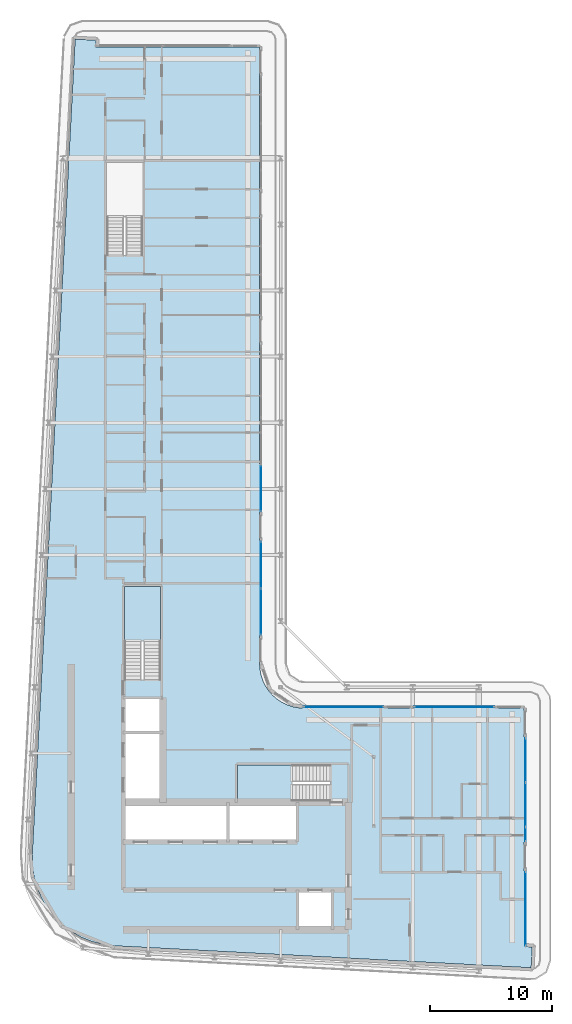
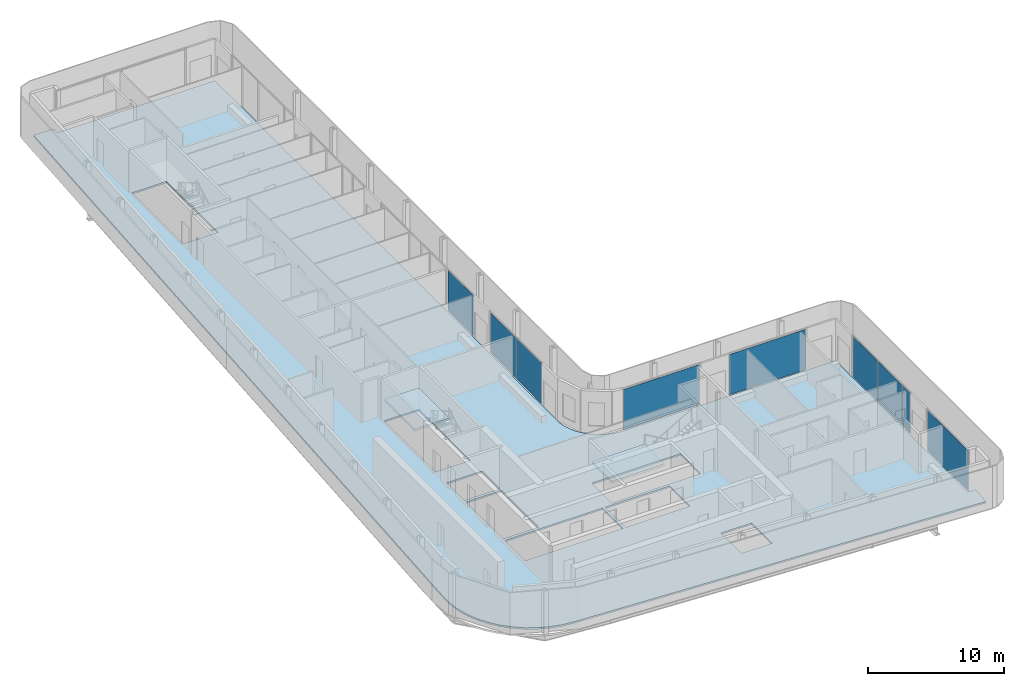
# One storey, part 9 of 21: 9 plates, 3 slabs, 9 elements without a shape of their own.
"""IFC4 building model written with IfcOpenShell, lengths in metres."""

import ifcopenshell
import ifcopenshell.guid

model = None  # the IFC model being written
_history = None  # IfcOwnerHistory: only IFC2X3 demands one
_inside = {}  # id of a spatial element -> (the spatial element, [elements in it])
_under = {}  # id of a project, library or spatial element -> (it, [spatial elements below it])
_declared = {}  # id of a project -> (the project, [libraries it declares])
_typed = {}  # id of a type object -> (the type object, [elements of that type])
_made_of = {}  # id of a material, layer set ... -> (it, [elements and type objects made of it])


def new_model(schema):
    """Start an empty IFC model of exactly this schema.

    Asked for "IFC4X3", IfcOpenShell would pick the latest addendum, in which some entities
    have other attributes; the version numbers below select the first issue.
    IFC2X3 requires an IfcOwnerHistory on every rooted entity: one is made here for all.
    """
    global model, _history
    if schema == "IFC4X3":
        model = ifcopenshell.file(schema_version=(4, 3, 0, 0))
    else:
        model = ifcopenshell.file(schema=schema)
    _inside.clear()
    _under.clear()
    _declared.clear()
    _typed.clear()
    _made_of.clear()
    _history = None
    if model.schema == "IFC2X3":
        org = make("IfcOrganization", Name="unknown")
        user = make(
            "IfcPersonAndOrganization",
            ThePerson=make("IfcPerson", FamilyName="unknown"),
            TheOrganization=org,
        )
        app = make(
            "IfcApplication",
            ApplicationDeveloper=org,
            Version="unknown",
            ApplicationFullName="unknown",
            ApplicationIdentifier="unknown",
        )
        _history = make(
            "IfcOwnerHistory",
            OwningUser=user,
            OwningApplication=app,
            ChangeAction="ADDED",
            CreationDate=0,
        )
    return model


def make(cls, **values):
    """One entity of the class cls with the attributes given. An attribute that is None is left unset."""
    return model.create_entity(
        cls, **{name: value for name, value in values.items() if value is not None}
    )


def rooted(cls, **values):
    """An entity with a GlobalId (a new one), such as an element, a storey or a relation."""
    return make(cls, GlobalId=ifcopenshell.guid.new(), OwnerHistory=_history, **values)


def si_unit(unit_type, name, prefix=None):
    """IfcSIUnit, for example si_unit("LENGTHUNIT", "METRE", prefix="MILLI")."""
    return make("IfcSIUnit", UnitType=unit_type, Prefix=prefix, Name=name)


def assignment(units):
    """IfcUnitAssignment: the units of a project."""
    return None if units is None else make("IfcUnitAssignment", Units=units)


def point(xyz):
    """IfcCartesianPoint."""
    return None if xyz is None else make("IfcCartesianPoint", Coordinates=xyz)


def direction(xyz):
    """IfcDirection."""
    return None if xyz is None else make("IfcDirection", DirectionRatios=xyz)


def frame(location, z_axis=None, x_axis=None):
    """IfcAxis2Placement3D, a coordinate frame: its origin and axes. An axis left out is left unset."""
    return make(
        "IfcAxis2Placement3D",
        Location=point(location),
        Axis=direction(z_axis),
        RefDirection=direction(x_axis),
    )


def frame_2d(location, x_axis=None):
    """IfcAxis2Placement2D, a coordinate frame in the plane: its origin and x axis."""
    return make(
        "IfcAxis2Placement2D", Location=point(location), RefDirection=direction(x_axis)
    )


def origin():
    """The frame at (0, 0, 0) with its axes left unset."""
    return frame((0.0, 0.0, 0.0))


def origin_2d():
    """The frame at (0, 0) in the plane with its x axis left unset."""
    return frame_2d((0.0, 0.0))


def place(relative_to, where):
    """IfcLocalPlacement: puts the frame where relative to a parent placement (None: the world)."""
    return make(
        "IfcLocalPlacement", PlacementRelTo=relative_to, RelativePlacement=where
    )


def context(
    kind, dimensions, precision=None, world=None, true_north=None, identifier=None
):
    """IfcGeometricRepresentationContext, for example the 3D "Model" context."""
    return make(
        "IfcGeometricRepresentationContext",
        ContextIdentifier=identifier,
        ContextType=kind,
        CoordinateSpaceDimension=dimensions,
        Precision=precision,
        WorldCoordinateSystem=world,
        TrueNorth=true_north,
    )


def subcontext(parent, identifier, kind, view, scale=None):
    """IfcGeometricRepresentationSubContext, for example "Body" below "Model"."""
    return make(
        "IfcGeometricRepresentationSubContext",
        ContextIdentifier=identifier,
        ContextType=kind,
        ParentContext=parent,
        TargetScale=scale,
        TargetView=view,
    )


def project(units=None, contexts=None):
    """IfcProject with its units and contexts."""
    return rooted(
        "IfcProject",
        Name="project",
        RepresentationContexts=contexts,
        UnitsInContext=assignment(units),
    )


def spatial(cls, under=None, at=None, **own):
    """A site, building, storey or space (cls), placed at a placement, below another one or the project."""
    s = rooted(cls, ObjectPlacement=at, **own)
    if under is not None:
        _under.setdefault(under.id(), (under, []))[1].append(s)
    return s


def polyline(points):
    """IfcPolyline through the points."""
    return make("IfcPolyline", Points=[point(p) for p in points])


def profile(cls, at=None, kind="AREA", **sizes):
    """A parametric profile (cls). Its sizes go by their IFC names, for example OverallWidth=200.0."""
    return make(cls, ProfileType=kind, Position=at, **sizes)


def rectangle(**sizes):
    """IfcRectangleProfileDef."""
    return profile("IfcRectangleProfileDef", **sizes)


def outline(outer, holes=None, kind="AREA"):
    """IfcArbitraryClosedProfileDef: a profile drawn as a closed curve; with holes, ...WithVoids."""
    if holes is None:
        return make("IfcArbitraryClosedProfileDef", ProfileType=kind, OuterCurve=outer)
    return make(
        "IfcArbitraryProfileDefWithVoids",
        ProfileType=kind,
        OuterCurve=outer,
        InnerCurves=holes,
    )


def extrude(swept, where, along, depth):
    """IfcExtrudedAreaSolid: the profile swept, set in the frame where, extruded along a direction by depth."""
    return make(
        "IfcExtrudedAreaSolid",
        SweptArea=swept,
        Position=where,
        ExtrudedDirection=direction(along),
        Depth=depth,
    )


def shape(context_of_items, identifier, shape_type, items):
    """IfcShapeRepresentation: the items that make up one representation, for example the "Body"."""
    return make(
        "IfcShapeRepresentation",
        ContextOfItems=context_of_items,
        RepresentationIdentifier=identifier,
        RepresentationType=shape_type,
        Items=items,
    )


def material(Name=None, Category=None):
    """IfcMaterial."""
    return make("IfcMaterial", Name=Name, Category=Category)


def layer(
    of_material, thickness, ventilated=None, Name=None, Category=None, Priority=None
):
    """IfcMaterialLayer: one layer of a wall or slab, of a material (None: an air gap)."""
    return make(
        "IfcMaterialLayer",
        Material=of_material,
        LayerThickness=thickness,
        IsVentilated=ventilated,
        Name=Name,
        Category=Category,
        Priority=Priority,
    )


def layer_set(layers, Name=None):
    """IfcMaterialLayerSet."""
    return make("IfcMaterialLayerSet", MaterialLayers=layers, LayerSetName=Name)


def made_of(thing, what):
    """Note that an element or type object is made of a material, layer set ...; save() writes the relation."""
    if what is not None:
        _made_of.setdefault(what.id(), (what, []))[1].append(thing)
    return thing


def type_object(cls, material=None, **own):
    """A type object (cls), such as IfcWallType, which elements share."""
    return made_of(rooted(cls, **own), material)


def element(
    cls,
    number,
    at=None,
    inside=None,
    cuts=None,
    type_object=None,
    material=None,
    context=None,
    identifier="Body",
    shape_type=None,
    held_by="IfcProductDefinitionShape",
    body=None,
    shapes=None,
    **own,
):
    """One element of the class cls, such as IfcWall. Its Tag is "e" and its number.

    at: its placement. inside: the storey or other place that contains it. cuts: it is an
    opening in that element (IfcRelVoidsElement). A single representation is given by context,
    identifier, shape_type and body (its items); several are given by shapes. held_by: the class
    of the entity that holds the representations. save() writes the other relations.
    """
    e = rooted(cls, Tag="e%d" % number, ObjectPlacement=at, **own)
    if body is not None:
        shapes = [shape(context, identifier, shape_type, body)]
    if shapes is not None:
        e.Representation = make(held_by, Representations=shapes)
    if inside is not None:
        _inside.setdefault(inside.id(), (inside, []))[1].append(e)
    if cuts is not None:
        rooted(
            "IfcRelVoidsElement", RelatingBuildingElement=cuts, RelatedOpeningElement=e
        )
    if type_object is not None:
        _typed.setdefault(type_object.id(), (type_object, []))[1].append(e)
    return made_of(e, material)


def aggregate(whole, parts):
    """IfcRelAggregates: a whole, such as a stair, and the parts it consists of."""
    return rooted("IfcRelAggregates", RelatingObject=whole, RelatedObjects=parts)


def save(model, path):
    """Write the relations noted so far, then the file.

    IfcRelAggregates (storeys below a building ...), IfcRelContainedInSpatialStructure (elements
    in a storey), IfcRelDefinesByType, IfcRelAssociatesMaterial and IfcRelDeclares: one each for
    every whole, place, type object, material and project.
    """
    for whole, parts in _under.values():
        aggregate(whole, parts)
    for where, things in _inside.values():
        rooted(
            "IfcRelContainedInSpatialStructure",
            RelatedElements=things,
            RelatingStructure=where,
        )
    for kind, things in _typed.values():
        rooted("IfcRelDefinesByType", RelatedObjects=things, RelatingType=kind)
    for what, things in _made_of.values():
        rooted("IfcRelAssociatesMaterial", RelatedObjects=things, RelatingMaterial=what)
    for by, libraries in _declared.values():
        rooted("IfcRelDeclares", RelatingContext=by, RelatedDefinitions=libraries)
    model.write(path)


model = new_model("IFC4")

# Units and contexts
model_context = context("Model", 3, precision=1e-05, world=origin(), true_north=direction((0.0, 1.0)))
body_context = subcontext(model_context, "Body", "Model", "MODEL_VIEW")
ifc_project = project(units=[si_unit("LENGTHUNIT", "METRE"), si_unit("AREAUNIT", "SQUARE_METRE"), si_unit("VOLUMEUNIT", "CUBIC_METRE"), si_unit("PLANEANGLEUNIT", "RADIAN"), si_unit("MASSUNIT", "GRAM", prefix="KILO")], contexts=[model_context])

# Site, building, storey
site_placement = place(None, origin())
site = spatial("IfcSite", under=ifc_project, at=site_placement, CompositionType="ELEMENT")
building_placement = place(site_placement, origin())
building = spatial("IfcBuilding", under=site, at=building_placement, Name="Kheshtan School and Residences Tower", CompositionType="ELEMENT")
storey_placement = place(building_placement, frame((0.0, 0.0, 294.199951171875)))
storey = spatial("IfcBuildingStorey", under=building, at=storey_placement, Name="L69", CompositionType="ELEMENT", Elevation=294.199951171875)

# Curtain wall, plate
ifc_material_1 = material(Name="Clear low-e glass in thermally broken aluminium frame", Category="aluminium")
ifc_layer_1 = layer(ifc_material_1, 0.199951171875)
ifc_layer_set_1 = layer_set([ifc_layer_1], Name="Curtain wall CW-L")
curtain_wall_type = type_object("IfcCurtainWallType", Name="Curtain wall CW-L", PredefinedType="NOTDEFINED", material=ifc_layer_set_1)
curtain_wall_1_placement = place(storey_placement, origin())
curtain_wall_1 = element("IfcCurtainWall", 1, at=curtain_wall_1_placement, inside=storey, type_object=curtain_wall_type, Name="Curtain wall CWL8c", PredefinedType="NOTDEFINED")
ifc_layer_2 = layer(ifc_material_1, 0.031982421875)
ifc_layer_set_2 = layer_set([ifc_layer_2], Name="CW-L glass panel")
plate_type = type_object("IfcPlateType", Name="CW-L glass panel", PredefinedType="CURTAIN_PANEL", material=ifc_layer_set_2)
plate_1_placement = place(storey_placement, frame((46.0, 61.862548828125, 0.0), z_axis=(0.0, 0.0, 1.0), x_axis=(0.0, -1.0, 0.0)))
plate_1 = element("IfcPlate", 2, at=plate_1_placement, type_object=plate_type, Name="CWL8c panel 3.1", PredefinedType="CURTAIN_PANEL", context=body_context, shape_type="SweptSolid", body=[
    extrude(rectangle(XDim=3.757080078125, YDim=0.031982421875, at=origin_2d()), origin(), (0.0, 0.0, 1.0), 3.6298828125),
])
aggregate(curtain_wall_1, [plate_1])

# Curtain wall, plates
curtain_wall_2_placement = place(storey_placement, origin())
curtain_wall_2 = element("IfcCurtainWall", 3, at=curtain_wall_2_placement, inside=storey, type_object=curtain_wall_type, Name="Curtain wall CWL8", PredefinedType="NOTDEFINED")
plate_2_placement = place(storey_placement, frame((46.0, 55.58544921875, 0.0), z_axis=(0.0, 0.0, 1.0), x_axis=(0.0, -1.0, 0.0)))
plate_2 = element("IfcPlate", 4, at=plate_2_placement, type_object=plate_type, Name="CWL8 panel 1.1", PredefinedType="CURTAIN_PANEL", context=body_context, shape_type="SweptSolid", body=[
    extrude(rectangle(XDim=3.757080078125, YDim=0.031982421875, at=origin_2d()), origin(), (0.0, 0.0, 1.0), 3.6298828125),
])
plate_3_placement = place(storey_placement, frame((46.0, 51.7685546875, 0.0), z_axis=(0.0, 0.0, 1.0), x_axis=(0.0, -1.0, 0.0)))
plate_3 = element("IfcPlate", 5, at=plate_3_placement, type_object=plate_type, Name="CWL8 panel 2.1", PredefinedType="CURTAIN_PANEL", context=body_context, shape_type="SweptSolid", body=[
    extrude(rectangle(XDim=3.757080078125, YDim=0.031982421875, at=origin_2d()), origin(), (0.0, 0.0, 1.0), 3.6298828125),
])
aggregate(curtain_wall_2, [plate_2, plate_3])

# Curtain wall, plate
curtain_wall_3_placement = place(storey_placement, origin())
curtain_wall_3 = element("IfcCurtainWall", 6, at=curtain_wall_3_placement, inside=storey, type_object=curtain_wall_type, Name="Curtain wall CWL1233", PredefinedType="NOTDEFINED")
plate_4_placement = place(storey_placement, frame((52.74755859375, 44.0, 0.0), z_axis=(0.0, 0.0, 1.0), x_axis=(1.0, 0.0, 0.0)))
plate_4 = element("IfcPlate", 7, at=plate_4_placement, type_object=plate_type, Name="CWL1233 panel 1.1", PredefinedType="CURTAIN_PANEL", context=body_context, shape_type="SweptSolid", body=[
    extrude(rectangle(XDim=6.514892578125, YDim=0.031982421875, at=origin_2d()), origin(), (0.0, 0.0, 1.0), 3.6298828125),
])
aggregate(curtain_wall_3, [plate_4])

curtain_wall_4_placement = place(storey_placement, origin())
curtain_wall_4 = element("IfcCurtainWall", 8, at=curtain_wall_4_placement, inside=storey, type_object=curtain_wall_type, Name="Curtain wall CWL1233", PredefinedType="NOTDEFINED")
plate_5_placement = place(storey_placement, frame((61.782470703125, 44.0, 0.0), z_axis=(0.0, 0.0, 1.0), x_axis=(1.0, 0.0, 0.0)))
plate_5 = element("IfcPlate", 9, at=plate_5_placement, type_object=plate_type, Name="CWL1233 panel 1.1", PredefinedType="CURTAIN_PANEL", context=body_context, shape_type="SweptSolid", body=[
    extrude(rectangle(XDim=6.514892578125, YDim=0.031982421875, at=origin_2d()), origin(), (0.0, 0.0, 1.0), 3.6298828125),
])
aggregate(curtain_wall_4, [plate_5])

# Curtain wall, plates
curtain_wall_5_placement = place(storey_placement, origin())
curtain_wall_5 = element("IfcCurtainWall", 10, at=curtain_wall_5_placement, inside=storey, type_object=curtain_wall_type, Name="Curtain wall CWL13e", PredefinedType="NOTDEFINED")
plate_6_placement = place(storey_placement, frame((67.60009765625, 39.64990234375, 0.0), z_axis=(0.0, 0.0, 1.0), x_axis=(0.0, -1.0, 0.0)))
plate_6 = element("IfcPlate", 11, at=plate_6_placement, type_object=plate_type, Name="CWL13e panel 1.1", PredefinedType="CURTAIN_PANEL", context=body_context, shape_type="SweptSolid", body=[
    extrude(rectangle(XDim=3.580322265625, YDim=0.031982421875, at=origin_2d()), origin(), (0.0, 0.0, 1.0), 3.6298828125),
])
plate_7_placement = place(storey_placement, frame((67.60009765625, 36.009521484375, 0.0), z_axis=(0.0, 0.0, 1.0), x_axis=(0.0, -1.0, 0.0)))
plate_7 = element("IfcPlate", 12, at=plate_7_placement, type_object=plate_type, Name="CWL13e panel 2.1", PredefinedType="CURTAIN_PANEL", context=body_context, shape_type="SweptSolid", body=[
    extrude(rectangle(XDim=3.580322265625, YDim=0.031982421875, at=origin_2d()), origin(), (0.0, 0.0, 1.0), 3.6298828125),
])
aggregate(curtain_wall_5, [plate_6, plate_7])

# Curtain wall, plate
curtain_wall_6_placement = place(storey_placement, origin())
curtain_wall_6 = element("IfcCurtainWall", 13, at=curtain_wall_6_placement, inside=storey, type_object=curtain_wall_type, Name="Curtain wall CWL13f", PredefinedType="NOTDEFINED")
plate_8_placement = place(storey_placement, frame((67.60009765625, 33.589599609375, 0.0), z_axis=(0.0, 0.0, 1.0), x_axis=(0.0, -1.0, 0.0)))
plate_8 = element("IfcPlate", 14, at=plate_8_placement, type_object=plate_type, Name="CWL13f panel 1.1", PredefinedType="CURTAIN_PANEL", context=body_context, shape_type="SweptSolid", body=[
    extrude(rectangle(XDim=1.139892578125, YDim=0.031982421875, at=origin_2d()), origin(), (0.0, 0.0, 1.0), 3.6298828125),
])
aggregate(curtain_wall_6, [plate_8])

curtain_wall_7_placement = place(storey_placement, origin())
curtain_wall_7 = element("IfcCurtainWall", 15, at=curtain_wall_7_placement, inside=storey, type_object=curtain_wall_type, Name="Curtain wall CWL13g", PredefinedType="NOTDEFINED")
plate_9_placement = place(storey_placement, frame((67.60009765625, 27.4892578125, 0.0), z_axis=(0.0, 0.0, 1.0), x_axis=(0.0, -1.0, 0.0)))
plate_9 = element("IfcPlate", 16, at=plate_9_placement, type_object=plate_type, Name="CWL13g panel 1.1", PredefinedType="CURTAIN_PANEL", context=body_context, shape_type="SweptSolid", body=[
    extrude(rectangle(XDim=6.0205078125, YDim=0.031982421875, at=origin_2d()), origin(), (0.0, 0.0, 1.0), 3.6298828125),
])
aggregate(curtain_wall_7, [plate_9])

# Slab
ifc_material_2 = material(Name="Concrete C40/50", Category="concrete")
ifc_layer_3 = layer(ifc_material_2, 0.14990234375)
ifc_layer_set_3 = layer_set([ifc_layer_3], Name="Floor slab 150 Concrete C40/50")
slab_type_1 = type_object("IfcSlabType", Name="Floor slab 150 Concrete C40/50", PredefinedType="FLOOR", material=ifc_layer_set_3)
slab_1_placement = place(storey_placement, frame((0.0, 0.0, -0.14990234375)))
element("IfcSlab", 17, at=slab_1_placement, inside=storey, type_object=slab_type_1, Name="Floor slab L69", PredefinedType="FLOOR", context=body_context, shape_type="SweptSolid", body=[
    extrude(outline(polyline([(28.55908203125, 27.550048828125), (28.0849609375, 28.345947265625), (27.718017578125, 29.200927734375), (27.466064453125, 30.093017578125), (27.466064453125, 30.093994140625), (27.3330078125, 31.013916015625), (27.320068359375, 31.965087890625), (27.320068359375, 31.970947265625), (30.822021484375, 98.5009765625), (30.822998046875, 98.508056640625), (30.825927734375, 98.531005859375), (30.825927734375, 98.531982421875), (30.826904296875, 98.531982421875), (31.422119140625, 98.5), (31.423095703125, 98.5), (31.423095703125, 98.4990234375), (31.423095703125, 98.4951171875), (31.423095703125, 98.493896484375), (31.424072265625, 98.493896484375), (31.424072265625, 98.492919921875), (31.425048828125, 98.492919921875), (31.426025390625, 98.492919921875), (31.426025390625, 98.493896484375), (31.427978515625, 98.49609375), (31.428955078125, 98.4970703125), (31.429931640625, 98.498046875), (31.430908203125, 98.498046875), (31.430908203125, 98.4990234375), (31.431884765625, 98.4990234375), (31.431884765625, 98.5), (31.43505859375, 98.5009765625), (31.43603515625, 98.501953125), (31.43896484375, 98.501953125), (31.43994140625, 98.501953125), (31.43994140625, 98.5029296875), (31.44091796875, 98.5029296875), (31.446044921875, 98.5029296875), (32.5009765625, 98.447021484375), (32.50390625, 98.447021484375), (32.5048828125, 98.447021484375), (32.5048828125, 98.446044921875), (32.506103515625, 98.446044921875), (32.510009765625, 98.446044921875), (32.510009765625, 98.445068359375), (32.510986328125, 98.445068359375), (32.510986328125, 98.444091796875), (32.511962890625, 98.444091796875), (32.511962890625, 98.443115234375), (32.512939453125, 98.443115234375), (32.513916015625, 98.443115234375), (32.513916015625, 98.44189453125), (32.514892578125, 98.44189453125), (32.51611328125, 98.44189453125), (32.51904296875, 98.43896484375), (32.51904296875, 98.43798828125), (32.51904296875, 98.43701171875), (32.52001953125, 98.43701171875), (32.52001953125, 98.43603515625), (32.52099609375, 98.43603515625), (32.52099609375, 98.43408203125), (32.52099609375, 98.43310546875), (32.52197265625, 98.43310546875), (32.52197265625, 98.431884765625), (32.52294921875, 98.431884765625), (32.52294921875, 98.430908203125), (32.52294921875, 98.428955078125), (32.52294921875, 98.427978515625), (32.52392578125, 98.427978515625), (32.52392578125, 98.427001953125), (32.52392578125, 98.422119140625), (32.4970703125, 97.9208984375), (32.4970703125, 97.91796875), (32.4970703125, 97.9169921875), (32.49609375, 97.9169921875), (32.49609375, 97.916015625), (32.49609375, 97.912109375), (32.4951171875, 97.910888671875), (32.4951171875, 97.909912109375), (32.493896484375, 97.909912109375), (32.493896484375, 97.908935546875), (32.492919921875, 97.908935546875), (32.492919921875, 97.907958984375), (32.489013671875, 97.904052734375), (32.488037109375, 97.904052734375), (32.488037109375, 97.903076171875), (32.488037109375, 97.902099609375), (32.488037109375, 97.90087890625), (32.489013671875, 97.90087890625), (32.489013671875, 97.89990234375), (32.489990234375, 97.89990234375), (45.85498046875, 97.89990234375), (45.864990234375, 97.89794921875), (45.865966796875, 97.89794921875), (45.868896484375, 97.89599609375), (45.8740234375, 97.89404296875), (45.8779296875, 97.89208984375), (45.881103515625, 97.889892578125), (45.881103515625, 97.888916015625), (45.882080078125, 97.888916015625), (45.882080078125, 97.887939453125), (45.883056640625, 97.887939453125), (45.884033203125, 97.885009765625), (45.885009765625, 97.885009765625), (45.885009765625, 97.884033203125), (45.887939453125, 97.883056640625), (45.887939453125, 97.882080078125), (45.888916015625, 97.882080078125), (45.888916015625, 97.881103515625), (45.889892578125, 97.881103515625), (45.89208984375, 97.8779296875), (45.89404296875, 97.8740234375), (45.89599609375, 97.868896484375), (45.89794921875, 97.865966796875), (45.89794921875, 97.864990234375), (45.89990234375, 97.85498046875), (45.89990234375, 47.429931640625), (45.927001953125, 47.030029296875), (46.01806640625, 46.570068359375), (46.01806640625, 46.569091796875), (46.169921875, 46.1201171875), (46.37890625, 45.697021484375), (46.638916015625, 45.30810546875), (46.949951171875, 44.950927734375), (46.950927734375, 44.949951171875), (47.30810546875, 44.638916015625), (47.697021484375, 44.37890625), (48.1201171875, 44.169921875), (48.569091796875, 44.01806640625), (48.570068359375, 44.01806640625), (49.030029296875, 43.927001953125), (49.429931640625, 43.89990234375), (67.455078125, 43.89990234375), (67.4599609375, 43.89892578125), (67.465087890625, 43.89794921875), (67.466064453125, 43.89794921875), (67.468994140625, 43.89599609375), (67.47412109375, 43.89404296875), (67.47802734375, 43.89208984375), (67.48095703125, 43.889892578125), (67.48095703125, 43.888916015625), (67.48193359375, 43.888916015625), (67.48193359375, 43.887939453125), (67.48291015625, 43.887939453125), (67.48388671875, 43.885009765625), (67.485107421875, 43.885009765625), (67.485107421875, 43.884033203125), (67.488037109375, 43.883056640625), (67.488037109375, 43.882080078125), (67.489013671875, 43.882080078125), (67.489013671875, 43.881103515625), (67.489990234375, 43.881103515625), (67.491943359375, 43.8779296875), (67.493896484375, 43.8740234375), (67.49609375, 43.868896484375), (67.498046875, 43.865966796875), (67.498046875, 43.864990234375), (67.4990234375, 43.860107421875), (67.5, 43.85498046875), (67.5, 24.4140625), (67.5, 24.4130859375), (67.5009765625, 24.4130859375), (67.5009765625, 24.412109375), (67.501953125, 24.412109375), (67.5029296875, 24.412109375), (67.5029296875, 24.4130859375), (67.5048828125, 24.4150390625), (67.507080078125, 24.4169921875), (67.508056640625, 24.4169921875), (67.508056640625, 24.41796875), (67.509033203125, 24.41796875), (67.509033203125, 24.4189453125), (67.510009765625, 24.4189453125), (67.511962890625, 24.419921875), (67.512939453125, 24.4208984375), (67.51611328125, 24.4208984375), (67.51708984375, 24.4208984375), (67.51708984375, 24.422119140625), (67.51806640625, 24.422119140625), (67.52294921875, 24.422119140625), (68.137939453125, 24.388916015625), (68.14111328125, 24.388916015625), (68.14208984375, 24.388916015625), (68.14208984375, 24.387939453125), (68.14306640625, 24.387939453125), (68.14697265625, 24.387939453125), (68.14697265625, 24.386962890625), (68.14794921875, 24.386962890625), (68.14794921875, 24.385986328125), (68.14892578125, 24.385986328125), (68.14892578125, 24.385009765625), (68.14990234375, 24.385009765625), (68.15087890625, 24.385009765625), (68.15087890625, 24.384033203125), (68.152099609375, 24.384033203125), (68.153076171875, 24.384033203125), (68.153076171875, 24.383056640625), (68.155029296875, 24.381103515625), (68.156005859375, 24.381103515625), (68.156005859375, 24.3798828125), (68.156005859375, 24.37890625), (68.156982421875, 24.37890625), (68.156982421875, 24.3779296875), (68.157958984375, 24.3779296875), (68.157958984375, 24.3759765625), (68.157958984375, 24.375), (68.158935546875, 24.375), (68.158935546875, 24.3740234375), (68.159912109375, 24.3740234375), (68.159912109375, 24.373046875), (68.159912109375, 24.37109375), (68.159912109375, 24.3701171875), (68.160888671875, 24.3701171875), (68.160888671875, 24.368896484375), (68.160888671875, 24.364013671875), (68.10498046875, 23.306884765625), (68.10498046875, 23.303955078125), (68.10498046875, 23.302978515625), (68.10400390625, 23.302978515625), (68.10400390625, 23.302001953125), (68.10400390625, 23.298095703125), (68.10302734375, 23.297119140625), (68.10302734375, 23.2958984375), (68.10205078125, 23.2958984375), (68.10205078125, 23.294921875), (68.10107421875, 23.294921875), (68.10107421875, 23.2939453125), (68.10009765625, 23.29296875), (68.097900390625, 23.291015625), (68.096923828125, 23.2900390625), (68.095947265625, 23.2900390625), (68.095947265625, 23.2890625), (68.095947265625, 23.2880859375), (68.095947265625, 23.287109375), (68.096923828125, 23.287109375), (68.096923828125, 23.285888671875), (68.097900390625, 23.285888671875), (68.09912109375, 23.285888671875), (68.10009765625, 23.285888671875), (68.10009765625, 23.284912109375), (68.068115234375, 22.68994140625), (68.068115234375, 22.68896484375), (68.06689453125, 22.68896484375), (68.04296875, 22.68798828125), (68.0380859375, 22.68798828125), (34.056884765625, 24.47802734375), (33.114990234375, 24.590087890625), (32.215087890625, 24.819091796875), (32.214111328125, 24.819091796875), (31.35205078125, 25.1630859375), (30.541015625, 25.616943359375), (29.799072265625, 26.1708984375), (29.799072265625, 26.172119140625), (29.798095703125, 26.172119140625), (29.134033203125, 26.820068359375), (29.134033203125, 26.821044921875), (29.133056640625, 26.821044921875), (28.55908203125, 27.550048828125)]), holes=[polyline([(67.5009765625, 23.29296875), (67.5, 23.29296875), (67.5, 23.2919921875), (67.5, 23.2880859375), (67.5, 23.287109375), (67.5009765625, 23.287109375), (67.5009765625, 23.285888671875), (67.501953125, 23.285888671875), (67.506103515625, 23.285888671875), (67.507080078125, 23.285888671875), (67.507080078125, 23.287109375), (67.508056640625, 23.287109375), (67.508056640625, 23.2880859375), (67.508056640625, 23.2890625), (67.507080078125, 23.2890625), (67.506103515625, 23.2900390625), (67.5048828125, 23.291015625), (67.5029296875, 23.29296875), (67.5029296875, 23.2939453125), (67.501953125, 23.2939453125), (67.5009765625, 23.2939453125), (67.5009765625, 23.29296875)]), polyline([(31.424072265625, 97.906982421875), (31.423095703125, 97.906982421875), (31.423095703125, 97.906005859375), (31.423095703125, 97.902099609375), (31.423095703125, 97.90087890625), (31.424072265625, 97.90087890625), (31.424072265625, 97.89990234375), (31.425048828125, 97.89990234375), (31.428955078125, 97.89990234375), (31.429931640625, 97.89990234375), (31.429931640625, 97.90087890625), (31.430908203125, 97.90087890625), (31.430908203125, 97.902099609375), (31.430908203125, 97.903076171875), (31.429931640625, 97.903076171875), (31.428955078125, 97.904052734375), (31.427978515625, 97.905029296875), (31.427001953125, 97.906005859375), (31.426025390625, 97.906982421875), (31.426025390625, 97.907958984375), (31.425048828125, 97.907958984375), (31.424072265625, 97.907958984375), (31.424072265625, 97.906982421875)]), polyline([(51.72509765625, 28.925048828125), (49.125, 28.925048828125), (49.125, 25.925048828125), (51.72509765625, 25.925048828125), (51.72509765625, 28.925048828125)]), polyline([(43.175048828125, 33.074951171875), (43.175048828125, 36.074951171875), (34.875, 36.074951171875), (34.875, 33.074951171875), (43.175048828125, 33.074951171875)]), polyline([(43.425048828125, 36.074951171875), (43.425048828125, 33.074951171875), (48.875, 33.074951171875), (48.875, 36.074951171875), (43.425048828125, 36.074951171875)]), polyline([(51.64990234375, 37.699951171875), (51.64990234375, 39.25), (44.090087890625, 39.25), (44.090087890625, 36.300048828125), (51.639892578125, 36.300048828125), (51.639892578125, 37.699951171875), (51.64990234375, 37.699951171875)]), polyline([(37.875, 41.77490234375), (34.875, 41.77490234375), (34.875, 36.324951171875), (37.875, 36.324951171875), (37.875, 41.77490234375)]), polyline([(37.875, 44.625), (34.875, 44.625), (34.875, 42.02490234375), (37.875, 42.02490234375), (37.875, 44.625)]), polyline([(37.800048828125, 53.81005859375), (34.85009765625, 53.81005859375), (34.85009765625, 46.260009765625), (36.25, 46.260009765625), (36.25, 46.25), (37.800048828125, 46.25), (37.800048828125, 53.81005859375)]), polyline([(36.35009765625, 88.4599609375), (33.39990234375, 88.4599609375), (33.39990234375, 80.909912109375), (34.800048828125, 80.909912109375), (34.800048828125, 80.89990234375), (36.35009765625, 80.89990234375), (36.35009765625, 88.4599609375)])]), origin(), (0.0, 0.0, 1.0), 0.14990234375),
])

# Stair, slab
stair_type = type_object("IfcStairType", Name="Exit stair, half-turn", PredefinedType="HALF_TURN_STAIR", material=ifc_material_2)
stair_1_placement = place(storey_placement, origin())
stair_1 = element("IfcStair", 18, at=stair_1_placement, inside=storey, type_object=stair_type, Name="L69 Protected Exit Stair ST1", PredefinedType="HALF_TURN_STAIR")
ifc_layer_4 = layer(ifc_material_2, 0.199951171875)
ifc_layer_set_4 = layer_set([ifc_layer_4], Name="Stair landing 200 Concrete C40/50")
slab_type_2 = type_object("IfcSlabType", Name="Stair landing 200 Concrete C40/50", PredefinedType="LANDING", material=ifc_layer_set_4)
slab_2_placement = place(storey_placement, frame((0.0, 0.0, 1.75)))
slab_2 = element("IfcSlab", 19, at=slab_2_placement, type_object=slab_type_2, Name="ST1 landing 1", PredefinedType="LANDING", context=body_context, shape_type="SweptSolid", body=[
    extrude(outline(polyline([(48.570068359375, 39.25), (44.090087890625, 39.25), (44.090087890625, 36.300048828125), (48.570068359375, 36.300048828125), (48.570068359375, 39.25)])), origin(), (0.0, 0.0, 1.0), 0.199951171875),
])
aggregate(stair_1, [slab_2])

stair_2_placement = place(storey_placement, origin())
stair_2 = element("IfcStair", 20, at=stair_2_placement, inside=storey, type_object=stair_type, Name="L69 Protected Exit Stair ST2", PredefinedType="HALF_TURN_STAIR")
slab_3_placement = place(storey_placement, frame((0.0, 0.0, 1.75)))
slab_3 = element("IfcSlab", 21, at=slab_3_placement, type_object=slab_type_2, Name="ST2 landing 1", PredefinedType="LANDING", context=body_context, shape_type="SweptSolid", body=[
    extrude(outline(polyline([(37.800048828125, 49.330078125), (37.800048828125, 53.81005859375), (34.85009765625, 53.81005859375), (34.85009765625, 49.330078125), (37.800048828125, 49.330078125)])), origin(), (0.0, 0.0, 1.0), 0.199951171875),
])
aggregate(stair_2, [slab_3])

save(model, "model.ifc")
